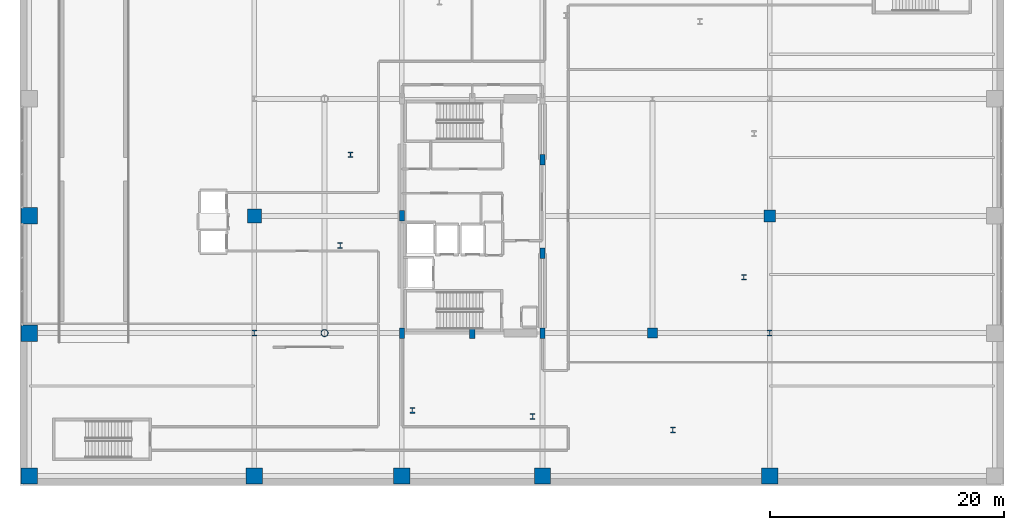
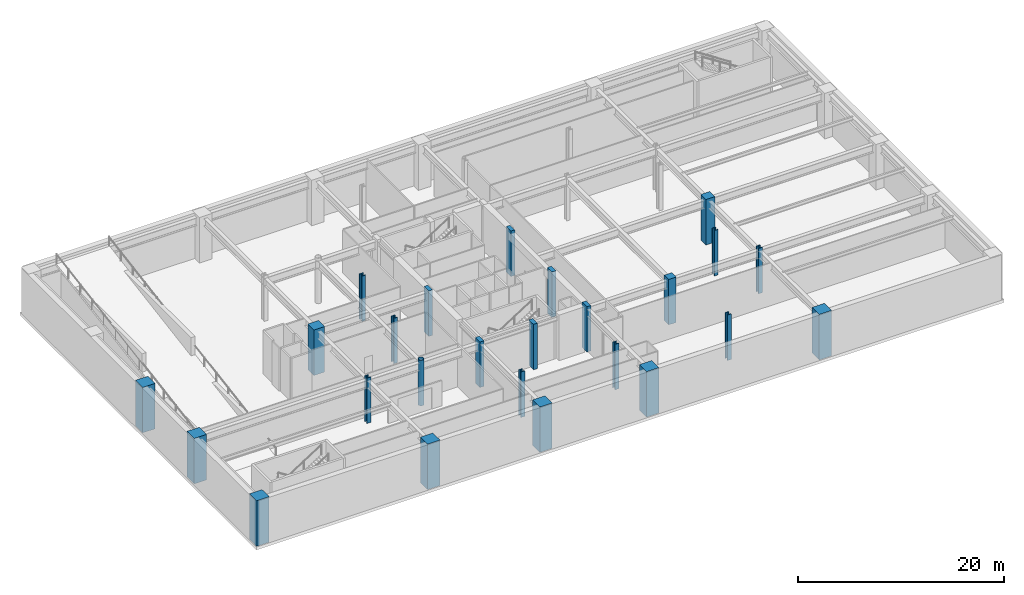
# One storey, part 1 of 25: 25 columns.
"""IFC4 building model written with IfcOpenShell, lengths in metres."""

from ifc_helpers import new_model, si_unit, direction, frame, origin, origin_2d, place, context, subcontext, project, spatial, rectangle, hollow_circle, i_section, extrude, material, material_profile, profile_set, type_object, element, save


model = new_model("IFC4")

# Units and contexts
model_context = context("Model", 3, precision=1e-05, world=origin(), true_north=direction((0.0, 1.0)))
body_context = subcontext(model_context, "Body", "Model", "MODEL_VIEW")
ifc_project = project(units=[si_unit("LENGTHUNIT", "METRE"), si_unit("AREAUNIT", "SQUARE_METRE"), si_unit("VOLUMEUNIT", "CUBIC_METRE"), si_unit("PLANEANGLEUNIT", "RADIAN"), si_unit("MASSUNIT", "GRAM", prefix="KILO")], contexts=[model_context])

# Site, building, storey
site_placement = place(None, origin())
site = spatial("IfcSite", under=ifc_project, at=site_placement, CompositionType="ELEMENT")
building_placement = place(site_placement, origin())
building = spatial("IfcBuilding", under=site, at=building_placement, Name="Soratama Intermodal Tower", CompositionType="ELEMENT")
storey_placement = place(building_placement, frame((0.0, 0.0, -5.39990234375)))
storey = spatial("IfcBuildingStorey", under=building, at=storey_placement, Name="B1", CompositionType="ELEMENT", Elevation=-5.39990234375)

# Columns
ifc_material_1 = material(Name="Concrete f'c 56 MPa", Category="concrete")
ifc_material_profile_1 = material_profile(ifc_material_1, rectangle(XDim=1.39990234375, YDim=1.39990234375, at=origin_2d()), Name="RC1400X1400")
ifc_profile_set_1 = profile_set([ifc_material_profile_1], Name="Concrete f'c 56 MPa")
column_type_1 = type_object("IfcColumnType", Name="COL-POD-EXT-RC1400", PredefinedType="COLUMN", material=ifc_profile_set_1)
for number, where, z_axis, x_axis, name in (
    (1, (0.800048828125, 2.800048828125, 0.0), (0.0, 0.0, 1.0), (1.0, 0.0, 0.0), "B1 Station Column P01"),
    (2, (20.0, 2.800048828125, 0.0), (0.0, 0.0, 1.0), (1.0, 0.0, 0.0), "B1 Station Column P02"),
    (3, (64.0, 2.800048828125, 0.0), (0.0, 0.0, 1.0), (1.0, 0.0, 0.0), "B1 Station Column P03"),
    (4, (0.800048828125, 15.0, 0.0), (0.0, 0.0, 1.0), (1.0, 0.0, 0.0), "B1 Station Column P05"),
    (5, (0.800048828125, 25.0, 0.0), (0.0, 0.0, 1.0), (1.0, 0.0, 0.0), "B1 Station Column P17"),
    (6, (32.60009765625, 2.800048828125, 0.0), (0.0, 0.0, 1.0), (1.0, 0.0, 0.0), "B1 Station Column P21"),
    (7, (44.60009765625, 2.800048828125, 0.0), (0.0, 0.0, 1.0), (1.0, 0.0, 0.0), "B1 Station Column P22"),
):
    element("IfcColumn", number, at=place(storey_placement, frame(where, z_axis=z_axis, x_axis=x_axis)), inside=storey, type_object=column_type_1, Name=name, PredefinedType="COLUMN", context=body_context, shape_type="SweptSolid", body=[
        extrude(rectangle(XDim=1.39990234375, YDim=1.39990234375, at=origin_2d()), origin(), (0.0, 0.0, 1.0), 5.39990234375),
    ])
ifc_material_2 = material(Name="Concrete f'c 56 MPa", Category="concrete")
ifc_material_profile_2 = material_profile(ifc_material_2, rectangle(XDim=1.0, YDim=1.0, at=origin_2d()), Name="RC1000X1000")
ifc_profile_set_2 = profile_set([ifc_material_profile_2], Name="Concrete f'c 56 MPa")
column_type_2 = type_object("IfcColumnType", Name="COL-POD-RC1000", PredefinedType="COLUMN", material=ifc_profile_set_2)
column_1_placement = place(storey_placement, frame((64.0, 25.0, 0.0), z_axis=(0.0, 0.0, 1.0), x_axis=(1.0, 0.0, 0.0)))
element("IfcColumn", 8, at=column_1_placement, inside=storey, type_object=column_type_2, Name="B1 Station Column P19", PredefinedType="COLUMN", context=body_context, shape_type="SweptSolid", body=[
    extrude(rectangle(XDim=1.0, YDim=1.0, at=origin_2d()), origin(), (0.0, 0.0, 1.0), 5.39990234375),
])
ifc_material_3 = material(Name="Concrete f'c 56 MPa", Category="concrete")
ifc_material_profile_3 = material_profile(ifc_material_3, rectangle(XDim=1.199951171875, YDim=1.199951171875, at=origin_2d()), Name="RC1200X1200")
ifc_profile_set_3 = profile_set([ifc_material_profile_3], Name="Concrete f'c 56 MPa")
column_type_3 = type_object("IfcColumnType", Name="COL-POD-RC1200", PredefinedType="COLUMN", material=ifc_profile_set_3)
column_2_placement = place(storey_placement, frame((20.0, 25.0, 0.0), z_axis=(0.0, 0.0, 1.0), x_axis=(1.0, 0.0, 0.0)))
element("IfcColumn", 9, at=column_2_placement, inside=storey, type_object=column_type_3, Name="B1 Station Column P18", PredefinedType="COLUMN", context=body_context, shape_type="SweptSolid", body=[
    extrude(rectangle(XDim=1.199951171875, YDim=1.199951171875, at=origin_2d()), origin(), (0.0, 0.0, 1.0), 5.39990234375),
])
ifc_material_4 = material(Name="Concrete f'c 56 MPa", Category="concrete")
ifc_material_profile_4 = material_profile(ifc_material_4, rectangle(XDim=0.85009765625, YDim=0.85009765625, at=origin_2d()), Name="RC850X850")
ifc_profile_set_4 = profile_set([ifc_material_profile_4], Name="Concrete f'c 56 MPa")
column_type_4 = type_object("IfcColumnType", Name="COL-POD-RC850", PredefinedType="COLUMN", material=ifc_profile_set_4)
column_3_placement = place(storey_placement, frame((54.0, 15.0, 0.0), z_axis=(0.0, 0.0, 1.0), x_axis=(1.0, 0.0, 0.0)))
element("IfcColumn", 10, at=column_3_placement, inside=storey, type_object=column_type_4, Name="B1 Station Column P25", PredefinedType="COLUMN", context=body_context, shape_type="SweptSolid", body=[
    extrude(rectangle(XDim=0.85009765625, YDim=0.85009765625, at=origin_2d()), origin(), (0.0, 0.0, 1.0), 5.39990234375),
])
ifc_material_5 = material(Name="Structural steel ASTM A992 Grade 50", Category="steel")
ifc_material_profile_5 = material_profile(ifc_material_5, i_section(OverallWidth=0.431884765625, OverallDepth=0.498046875, WebThickness=0.0556640625, FlangeThickness=0.0888671875, FilletRadius=0.0380859375, at=origin_2d()), Name="W14X500")
ifc_profile_set_5 = profile_set([ifc_material_profile_5], Name="Structural steel ASTM A992 Grade 50")
column_type_5 = type_object("IfcColumnType", Name="COL-POD-W14X500", PredefinedType="COLUMN", material=ifc_profile_set_5)
for number, where, z_axis, x_axis, name in (
    (11, (20.0, 15.0, 0.0), (0.0, 0.0, 1.0), (1.0, 0.0, 0.0), "B1 Station Column P06"),
    (12, (64.0, 15.0, 0.0), (0.0, 0.0, 1.0), (1.0, 0.0, 0.0), "B1 Station Column P07"),
    (13, (28.208984375, 30.22705078125, 0.0), (0.0, 0.0, 1.0), (1.0, 0.0, 0.0), "B1 Station Column P33"),
    (14, (27.3310546875, 22.47509765625, 0.0), (0.0, 0.0, 1.0), (1.0, 0.0, 0.0), "B1 Station Column P34"),
    (15, (33.498046875, 8.405029296875, 0.0), (0.0, 0.0, 1.0), (1.0, 0.0, 0.0), "B1 Station Column P35"),
    (16, (43.759033203125, 7.883056640625, 0.0), (0.0, 0.0, 1.0), (1.0, 0.0, 0.0), "B1 Station Column P36"),
    (17, (55.73388671875, 6.735107421875, 0.0), (0.0, 0.0, 1.0), (1.0, 0.0, 0.0), "B1 Station Column P37"),
    (18, (61.791015625, 19.77294921875, 0.0), (0.0, 0.0, 1.0), (1.0, 0.0, 0.0), "B1 Station Column P38"),
):
    element("IfcColumn", number, at=place(storey_placement, frame(where, z_axis=z_axis, x_axis=x_axis)), inside=storey, type_object=column_type_5, Name=name, PredefinedType="COLUMN", context=body_context, shape_type="SweptSolid", body=[
        extrude(i_section(OverallWidth=0.431884765625, OverallDepth=0.498046875, WebThickness=0.0556640625, FlangeThickness=0.0888671875, FilletRadius=0.0380859375, at=origin_2d()), origin(), (0.0, 0.0, 1.0), 5.39990234375),
    ])
ifc_material_6 = material(Name="Structural steel ASTM A500 Grade C", Category="steel")
ifc_material_profile_6 = material_profile(ifc_material_6, hollow_circle(Radius=0.304931640625, WallThickness=0.02197265625, at=origin_2d()), Name="CHS610X22")
ifc_profile_set_6 = profile_set([ifc_material_profile_6], Name="Structural steel ASTM A500 Grade C")
column_type_6 = type_object("IfcColumnType", Name="COL-POOL-CHS610", PredefinedType="COLUMN", material=ifc_profile_set_6)
column_4_placement = place(storey_placement, frame((26.0, 15.0, 0.0), z_axis=(0.0, 0.0, 1.0), x_axis=(1.0, 0.0, 0.0)))
element("IfcColumn", 19, at=column_4_placement, inside=storey, type_object=column_type_6, Name="B1 Station Column P27", PredefinedType="COLUMN", context=body_context, shape_type="SweptSolid", body=[
    extrude(hollow_circle(Radius=0.304931640625, WallThickness=0.02197265625, at=origin_2d()), origin(), (0.0, 0.0, 1.0), 5.39990234375),
])
ifc_material_7 = material(Name="Concrete f'c 56 MPa", Category="concrete")
ifc_material_profile_7 = material_profile(ifc_material_7, rectangle(XDim=0.449951171875, YDim=0.89990234375, at=origin_2d()), Name="RC450X900")
ifc_profile_set_7 = profile_set([ifc_material_profile_7], Name="Concrete f'c 56 MPa")
column_type_7 = type_object("IfcColumnType", Name="PIL-CORE-450X900", PredefinedType="PILASTER", material=ifc_profile_set_7)
for number, where, z_axis, x_axis, name in (
    (20, (32.60009765625, 15.0, 0.0), (0.0, 0.0, 1.0), (1.0, 0.0, 0.0), "B1 Core Pilaster 1"),
    (21, (32.60009765625, 25.0, 0.0), (0.0, 0.0, 1.0), (1.0, 0.0, 0.0), "B1 Core Pilaster 2"),
    (22, (38.60009765625, 15.0, 0.0), (0.0, 0.0, 1.0), (1.0, 0.0, 0.0), "B1 Core Pilaster 4"),
    (23, (44.60009765625, 15.0, 0.0), (0.0, 0.0, 1.0), (1.0, 0.0, 0.0), "B1 Core Pilaster 6"),
    (24, (44.60009765625, 21.800048828125, 0.0), (0.0, 0.0, 1.0), (1.0, 0.0, 0.0), "B1 Core Pilaster 7"),
    (25, (44.60009765625, 29.800048828125, 0.0), (0.0, 0.0, 1.0), (1.0, 0.0, 0.0), "B1 Core Pilaster 8"),
):
    element("IfcColumn", number, at=place(storey_placement, frame(where, z_axis=z_axis, x_axis=x_axis)), inside=storey, type_object=column_type_7, Name=name, PredefinedType="PILASTER", context=body_context, shape_type="SweptSolid", body=[
        extrude(rectangle(XDim=0.449951171875, YDim=0.89990234375, at=origin_2d()), origin(), (0.0, 0.0, 1.0), 5.39990234375),
    ])

save(model, "model.ifc")
